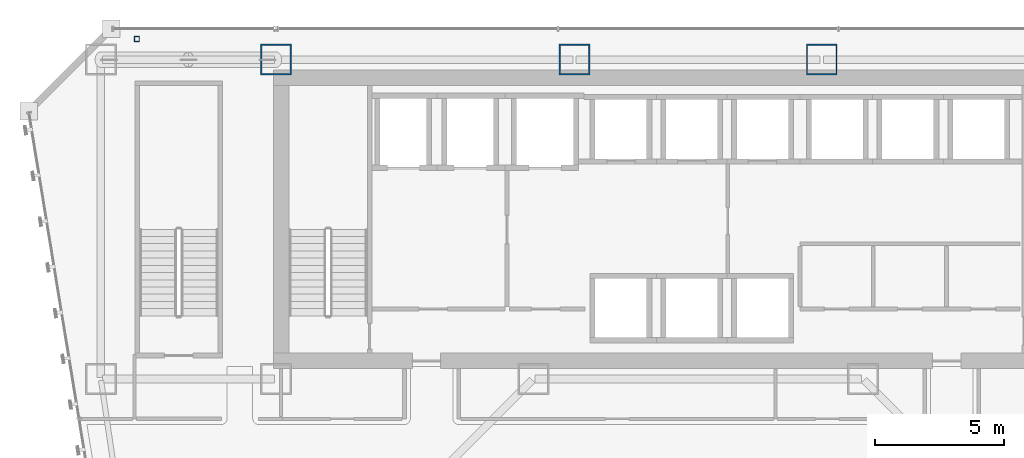
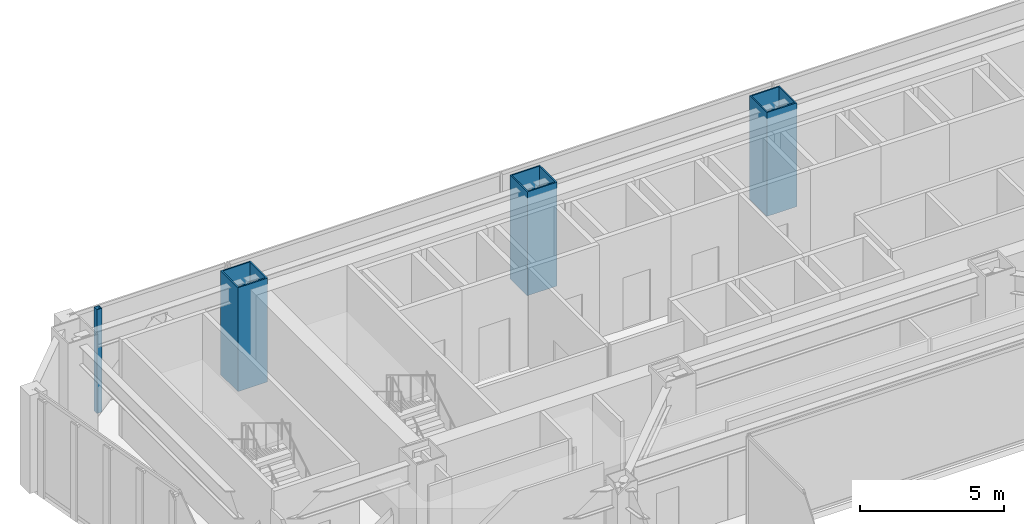
# One storey, part 2 of 49: 4 columns.
"""IFC4 building model written with IfcOpenShell, lengths in metres."""

from ifc_helpers import new_model, si_unit, direction, frame, origin, origin_2d, place, context, subcontext, project, spatial, hollow_rectangle, extrude, material, material_profile, profile_set, type_object, element, save


model = new_model("IFC4")

# Units and contexts
model_context = context("Model", 3, precision=1e-05, world=origin(), true_north=direction((0.0, 1.0)))
body_context = subcontext(model_context, "Body", "Model", "MODEL_VIEW")
ifc_project = project(units=[si_unit("LENGTHUNIT", "METRE"), si_unit("AREAUNIT", "SQUARE_METRE"), si_unit("VOLUMEUNIT", "CUBIC_METRE"), si_unit("PLANEANGLEUNIT", "RADIAN"), si_unit("MASSUNIT", "GRAM", prefix="KILO")], contexts=[model_context])

# Site, building, storey
site_placement = place(None, origin())
site = spatial("IfcSite", under=ifc_project, at=site_placement, CompositionType="ELEMENT")
building_placement = place(site_placement, origin())
building = spatial("IfcBuilding", under=site, at=building_placement, Name="Saevonmaru Cultural Tower", CompositionType="ELEMENT")
storey_placement = place(building_placement, frame((0.0, 0.0, 73.60009765625)))
storey = spatial("IfcBuildingStorey", under=building, at=storey_placement, Name="L15", CompositionType="ELEMENT", Elevation=73.60009765625)

# Columns
ifc_material_1 = material(Name="Steel HSA600 (600 MPa)", Category="steel")
ifc_material_profile_1 = material_profile(ifc_material_1, hollow_rectangle(XDim=1.199951171875, YDim=1.199951171875, WallThickness=0.054931640625, at=origin_2d()), Name="BOX-1200x1200x55")
ifc_profile_set_1 = profile_set([ifc_material_profile_1], Name="Steel HSA600 (600 MPa)")
column_type_1 = type_object("IfcColumnType", Name="COL-BOX-1200", PredefinedType="COLUMN", material=ifc_profile_set_1)
for number, where, z_axis, x_axis, name in (
    (1, (13.60009765625, 54.800048828125, 0.0), (0.0, 0.0, 1.0), (1.0, 0.0, 0.0), "L15 Column TC-N2N"),
    (2, (25.199951171875, 54.800048828125, 0.0), (0.0, 0.0, 1.0), (1.0, 0.0, 0.0), "L15 Column TC-N3N"),
    (3, (34.800048828125, 54.800048828125, 0.0), (0.0, 0.0, 1.0), (1.0, 0.0, 0.0), "L15 Column TC-N4N"),
):
    element("IfcColumn", number, at=place(storey_placement, frame(where, z_axis=z_axis, x_axis=x_axis)), inside=storey, type_object=column_type_1, Name=name, PredefinedType="COLUMN", context=body_context, shape_type="SweptSolid", body=[
        extrude(hollow_rectangle(XDim=1.199951171875, YDim=1.199951171875, WallThickness=0.054931640625, at=origin_2d()), origin(), (0.0, 0.0, 1.0), 4.39990234375),
    ])
ifc_material_2 = material(Name="Steel SM355", Category="steel")
ifc_material_profile_2 = material_profile(ifc_material_2, hollow_rectangle(XDim=0.199951171875, YDim=0.199951171875, WallThickness=0.010009765625, at=origin_2d()), Name="SHS-200x200x10")
ifc_profile_set_2 = profile_set([ifc_material_profile_2], Name="Steel SM355")
column_type_2 = type_object("IfcColumnType", Name="PIL-SHS-200", PredefinedType="PILASTER", material=ifc_profile_set_2)
column_placement = place(storey_placement, frame((8.199951171875, 55.60009765625, 0.0), z_axis=(0.0, 0.0, 1.0), x_axis=(1.0, 0.0, 0.0)))
element("IfcColumn", 4, at=column_placement, inside=storey, type_object=column_type_2, Name="L15 Art Deco Bronze-Clad Pilaster PIL-NW", PredefinedType="PILASTER", context=body_context, shape_type="SweptSolid", body=[
    extrude(hollow_rectangle(XDim=0.199951171875, YDim=0.199951171875, WallThickness=0.010009765625, at=origin_2d()), origin(), (0.0, 0.0, 1.0), 4.39990234375),
])

save(model, "model.ifc")
